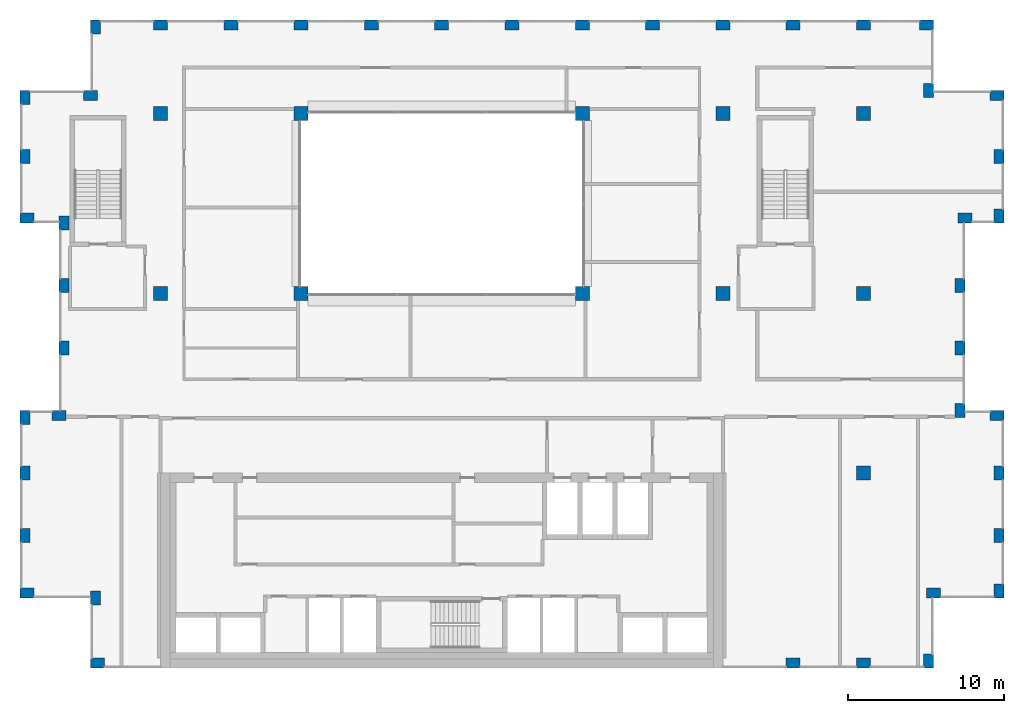
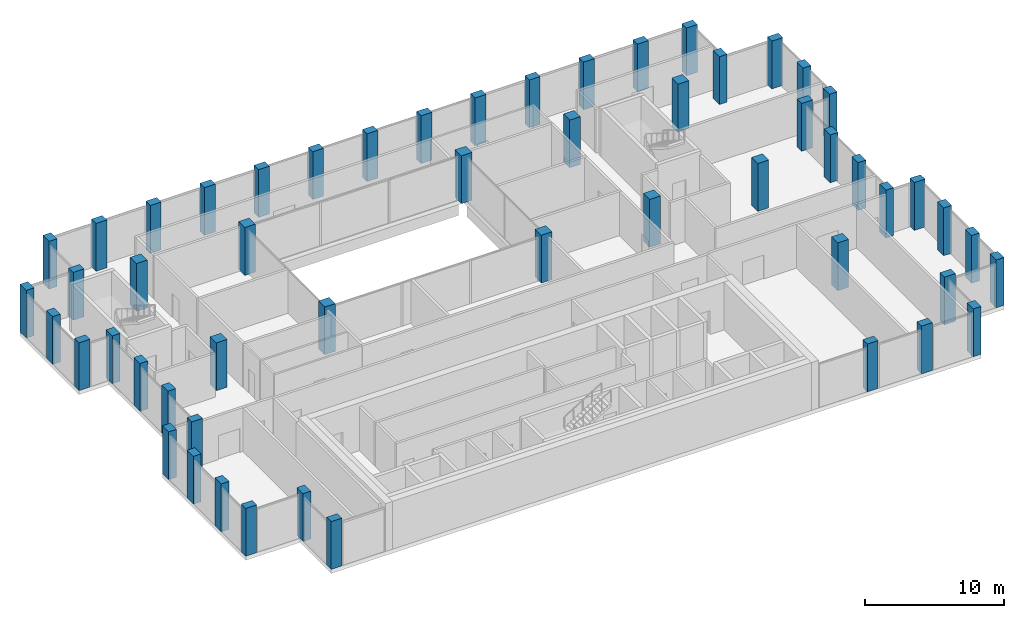
# One storey, part 1 of 15: 54 columns.
"""IFC4 building model written with IfcOpenShell, lengths in metres."""

from ifc_helpers import new_model, si_unit, direction, frame, origin, origin_2d, place, context, subcontext, project, spatial, rectangle, extrude, material, material_profile, profile_set, type_object, element, save


model = new_model("IFC4")

# Units and contexts
model_context = context("Model", 3, precision=1e-05, world=origin(), true_north=direction((0.0, 1.0)))
body_context = subcontext(model_context, "Body", "Model", "MODEL_VIEW")
ifc_project = project(units=[si_unit("LENGTHUNIT", "METRE"), si_unit("AREAUNIT", "SQUARE_METRE"), si_unit("VOLUMEUNIT", "CUBIC_METRE"), si_unit("PLANEANGLEUNIT", "RADIAN"), si_unit("MASSUNIT", "GRAM", prefix="KILO")], contexts=[model_context])

# Site, building, storey
site_placement = place(None, origin())
site = spatial("IfcSite", under=ifc_project, at=site_placement, CompositionType="ELEMENT")
building_placement = place(site_placement, origin())
building = spatial("IfcBuilding", under=site, at=building_placement, Name="Brigalow Station Residences", CompositionType="ELEMENT")
storey_placement = place(building_placement, frame((0.0, 0.0, 235.800048828125)))
storey = spatial("IfcBuildingStorey", under=building, at=storey_placement, Name="L68", CompositionType="ELEMENT", Elevation=235.800048828125)

# Columns
ifc_material_1 = material(Name="Concrete C50", Category="concrete")
ifc_material_profile_1 = material_profile(ifc_material_1, rectangle(XDim=0.89990234375, YDim=0.89990234375, at=origin_2d()), Name="RC900x900")
ifc_profile_set_1 = profile_set([ifc_material_profile_1], Name="Concrete C50")
column_type_1 = type_object("IfcColumnType", Name="COLUMN 900x900 C50", PredefinedType="COLUMN", material=ifc_profile_set_1)
for number, where, z_axis, x_axis, name in (
    (1, (18.0, 24.0, 0.0), (0.0, 0.0, 1.0), (1.0, 0.0, 0.0), "COLUMN C2 L68"),
    (2, (27.0, 24.0, 0.0), (0.0, 0.0, 1.0), (1.0, 0.0, 0.0), "COLUMN C3 L68"),
    (3, (45.0, 24.0, 0.0), (0.0, 0.0, 1.0), (1.0, 0.0, 0.0), "COLUMN C5 L68"),
    (4, (54.0, 24.0, 0.0), (0.0, 0.0, 1.0), (1.0, 0.0, 0.0), "COLUMN C6 L68"),
    (5, (63.0, 24.0, 0.0), (0.0, 0.0, 1.0), (1.0, 0.0, 0.0), "COLUMN C7 L68"),
    (6, (18.0, 35.5, 0.0), (0.0, 0.0, 1.0), (1.0, 0.0, 0.0), "COLUMN D2 L68"),
    (7, (27.0, 35.5, 0.0), (0.0, 0.0, 1.0), (1.0, 0.0, 0.0), "COLUMN D3 L68"),
    (8, (45.0, 35.5, 0.0), (0.0, 0.0, 1.0), (1.0, 0.0, 0.0), "COLUMN D5 L68"),
    (9, (54.0, 35.5, 0.0), (0.0, 0.0, 1.0), (1.0, 0.0, 0.0), "COLUMN D6 L68"),
    (10, (63.0, 35.5, 0.0), (0.0, 0.0, 1.0), (1.0, 0.0, 0.0), "COLUMN D7 L68"),
    (11, (63.0, 12.5, 0.0), (0.0, 0.0, 1.0), (1.0, 0.0, 0.0), "COLUMN B7 L68"),
):
    element("IfcColumn", number, at=place(storey_placement, frame(where, z_axis=z_axis, x_axis=x_axis)), inside=storey, type_object=column_type_1, Name=name, PredefinedType="COLUMN", context=body_context, shape_type="SweptSolid", body=[
        extrude(rectangle(XDim=0.89990234375, YDim=0.89990234375, at=origin_2d()), origin(), (0.0, 0.0, 1.0), 4.199951171875),
    ])
ifc_material_2 = material(Name="Concrete C50", Category="concrete")
ifc_material_profile_2 = material_profile(ifc_material_2, rectangle(XDim=0.89990234375, YDim=0.64990234375, at=origin_2d()), Name="RC900x650")
ifc_profile_set_2 = profile_set([ifc_material_profile_2], Name="Concrete C50")
column_type_2 = type_object("IfcColumnType", Name="PIER 900x650 C50", PredefinedType="USERDEFINED", material=ifc_profile_set_2)
for number, where, z_axis, x_axis, name in (
    (12, (13.949951171875, 0.324951171875, 0.0), (0.0, 0.0, 1.0), (1.0, 0.0, 0.0), "PIER S-1 L68"),
    (13, (58.5, 0.324951171875, 0.0), (0.0, 0.0, 1.0), (1.0, 0.0, 0.0), "PIER S-11 L68"),
    (14, (63.0, 0.324951171875, 0.0), (0.0, 0.0, 1.0), (1.0, 0.0, 0.0), "PIER S-12 L68"),
    (15, (67.175048828125, 0.449951171875, 0.0), (0.0, 0.0, 1.0), (0.0, 1.0, 0.0), "PIER SE1-1 L68"),
    (16, (67.5, 4.824951171875, 0.0), (0.0, 0.0, 1.0), (1.0, 0.0, 0.0), "PIER SE2-1 L68"),
    (17, (71.675048828125, 4.949951171875, 0.0), (0.0, 0.0, 1.0), (0.0, 1.0, 0.0), "PIER E1-1 L68"),
    (18, (71.675048828125, 8.5, 0.0), (0.0, 0.0, 1.0), (0.0, 1.0, 0.0), "PIER E1-2 L68"),
    (19, (71.675048828125, 12.5, 0.0), (0.0, 0.0, 1.0), (0.0, 1.0, 0.0), "PIER E1-3 L68"),
    (20, (71.550048828125, 16.175048828125, 0.0), (0.0, 0.0, 1.0), (-1.0, 0.0, 0.0), "PIER EL1-1 L68"),
    (21, (69.175048828125, 16.5, 0.0), (0.0, 0.0, 1.0), (0.0, 1.0, 0.0), "PIER EL2-1 L68"),
    (22, (69.175048828125, 20.5, 0.0), (0.0, 0.0, 1.0), (0.0, 1.0, 0.0), "PIER EL2-2 L68"),
    (23, (69.175048828125, 24.5, 0.0), (0.0, 0.0, 1.0), (0.0, 1.0, 0.0), "PIER EL2-3 L68"),
    (24, (69.5, 28.824951171875, 0.0), (0.0, 0.0, 1.0), (1.0, 0.0, 0.0), "PIER EL3-1 L68"),
    (25, (71.675048828125, 28.949951171875, 0.0), (0.0, 0.0, 1.0), (0.0, 1.0, 0.0), "PIER E2-1 L68"),
    (26, (71.675048828125, 32.75, 0.0), (0.0, 0.0, 1.0), (0.0, 1.0, 0.0), "PIER E2-2 L68"),
    (27, (71.550048828125, 36.675048828125, 0.0), (0.0, 0.0, 1.0), (-1.0, 0.0, 0.0), "PIER NE1-1 L68"),
    (28, (67.175048828125, 37.0, 0.0), (0.0, 0.0, 1.0), (0.0, 1.0, 0.0), "PIER NE2-1 L68"),
    (29, (67.050048828125, 41.175048828125, 0.0), (0.0, 0.0, 1.0), (-1.0, 0.0, 0.0), "PIER N-1 L68"),
    (30, (63.0, 41.175048828125, 0.0), (0.0, 0.0, 1.0), (-1.0, 0.0, 0.0), "PIER N-2 L68"),
    (31, (58.5, 41.175048828125, 0.0), (0.0, 0.0, 1.0), (-1.0, 0.0, 0.0), "PIER N-3 L68"),
    (32, (54.0, 41.175048828125, 0.0), (0.0, 0.0, 1.0), (-1.0, 0.0, 0.0), "PIER N-4 L68"),
    (33, (49.5, 41.175048828125, 0.0), (0.0, 0.0, 1.0), (-1.0, 0.0, 0.0), "PIER N-5 L68"),
    (34, (45.0, 41.175048828125, 0.0), (0.0, 0.0, 1.0), (-1.0, 0.0, 0.0), "PIER N-6 L68"),
    (35, (40.5, 41.175048828125, 0.0), (0.0, 0.0, 1.0), (-1.0, 0.0, 0.0), "PIER N-7 L68"),
    (36, (36.0, 41.175048828125, 0.0), (0.0, 0.0, 1.0), (-1.0, 0.0, 0.0), "PIER N-8 L68"),
    (37, (31.5, 41.175048828125, 0.0), (0.0, 0.0, 1.0), (-1.0, 0.0, 0.0), "PIER N-9 L68"),
    (38, (27.0, 41.175048828125, 0.0), (0.0, 0.0, 1.0), (-1.0, 0.0, 0.0), "PIER N-10 L68"),
    (39, (22.5, 41.175048828125, 0.0), (0.0, 0.0, 1.0), (-1.0, 0.0, 0.0), "PIER N-11 L68"),
    (40, (18.0, 41.175048828125, 0.0), (0.0, 0.0, 1.0), (-1.0, 0.0, 0.0), "PIER N-12 L68"),
    (41, (13.824951171875, 41.050048828125, 0.0), (0.0, 0.0, 1.0), (0.0, -1.0, 0.0), "PIER NW1-1 L68"),
    (42, (13.5, 36.675048828125, 0.0), (0.0, 0.0, 1.0), (-1.0, 0.0, 0.0), "PIER NW2-1 L68"),
    (43, (9.324951171875, 36.550048828125, 0.0), (0.0, 0.0, 1.0), (0.0, -1.0, 0.0), "PIER W2-1 L68"),
    (44, (9.324951171875, 32.75, 0.0), (0.0, 0.0, 1.0), (0.0, -1.0, 0.0), "PIER W2-2 L68"),
    (45, (9.449951171875, 28.824951171875, 0.0), (0.0, 0.0, 1.0), (1.0, 0.0, 0.0), "PIER WL1-1 L68"),
    (46, (11.824951171875, 28.5, 0.0), (0.0, 0.0, 1.0), (0.0, -1.0, 0.0), "PIER WL2-1 L68"),
    (47, (11.824951171875, 24.5, 0.0), (0.0, 0.0, 1.0), (0.0, -1.0, 0.0), "PIER WL2-2 L68"),
    (48, (11.824951171875, 20.5, 0.0), (0.0, 0.0, 1.0), (0.0, -1.0, 0.0), "PIER WL2-3 L68"),
    (49, (11.5, 16.175048828125, 0.0), (0.0, 0.0, 1.0), (-1.0, 0.0, 0.0), "PIER WL3-1 L68"),
    (50, (9.324951171875, 16.050048828125, 0.0), (0.0, 0.0, 1.0), (0.0, -1.0, 0.0), "PIER W1-1 L68"),
    (51, (9.324951171875, 12.5, 0.0), (0.0, 0.0, 1.0), (0.0, -1.0, 0.0), "PIER W1-2 L68"),
    (52, (9.324951171875, 8.5, 0.0), (0.0, 0.0, 1.0), (0.0, -1.0, 0.0), "PIER W1-3 L68"),
    (53, (9.449951171875, 4.824951171875, 0.0), (0.0, 0.0, 1.0), (1.0, 0.0, 0.0), "PIER SW1-1 L68"),
    (54, (13.824951171875, 4.5, 0.0), (0.0, 0.0, 1.0), (0.0, -1.0, 0.0), "PIER SW2-1 L68"),
):
    element("IfcColumn", number, at=place(storey_placement, frame(where, z_axis=z_axis, x_axis=x_axis)), inside=storey, type_object=column_type_2, Name=name, ObjectType="PIER", PredefinedType="USERDEFINED", context=body_context, shape_type="SweptSolid", body=[
        extrude(rectangle(XDim=0.89990234375, YDim=0.64990234375, at=origin_2d()), origin(), (0.0, 0.0, 1.0), 4.199951171875),
    ])

save(model, "model.ifc")
